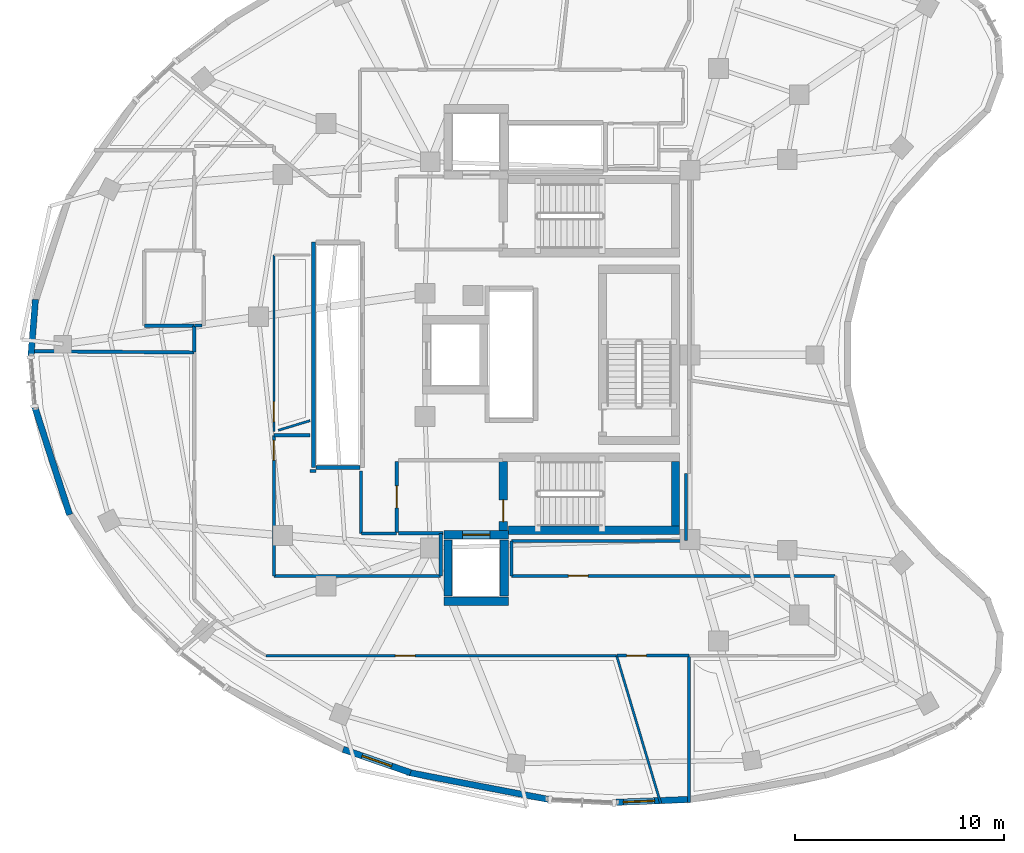
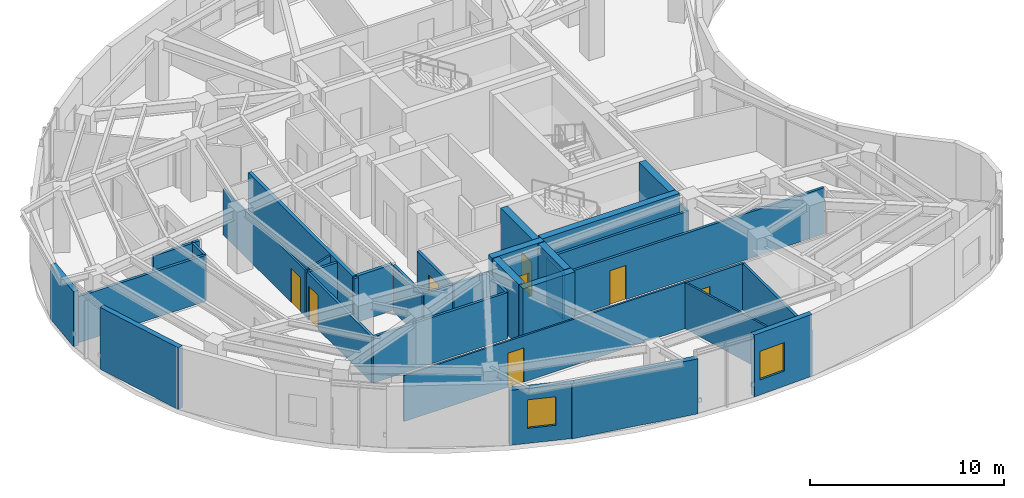
# One storey, part 7 of 13: 37 walls, 8 doors, 2 windows, 10 openings.
"""IFC4 building model written with IfcOpenShell, lengths in metres."""

from ifc_helpers import new_model, si_unit, direction, frame, frame_2d, origin, place, context, subcontext, project, spatial, rectangle, extrude, material, layer, layer_set, type_object, element, fill, save


model = new_model("IFC4")

# Units and contexts
model_context = context("Model", 3, precision=1e-05, world=origin(), true_north=direction((0.0, 1.0)))
body_context = subcontext(model_context, "Body", "Model", "MODEL_VIEW")
ifc_project = project(units=[si_unit("LENGTHUNIT", "METRE"), si_unit("AREAUNIT", "SQUARE_METRE"), si_unit("VOLUMEUNIT", "CUBIC_METRE"), si_unit("PLANEANGLEUNIT", "RADIAN"), si_unit("MASSUNIT", "GRAM", prefix="KILO")], contexts=[model_context])

# Site, building, storey
site_placement = place(None, origin())
site = spatial("IfcSite", under=ifc_project, at=site_placement, CompositionType="ELEMENT")
building_placement = place(site_placement, origin())
building = spatial("IfcBuilding", under=site, at=building_placement, Name="Korentha Bioscience Tower", CompositionType="ELEMENT")
storey_placement = place(building_placement, frame((0.0, 0.0, 243.60009765625)))
storey = spatial("IfcBuildingStorey", under=building, at=storey_placement, Name="L56", CompositionType="ELEMENT", Elevation=243.60009765625)

# Wall, opening, door
ifc_material_1 = material(Name="Double-Stud Acoustic Gypsum", Category="gypsum")
ifc_layer_1 = layer(ifc_material_1, 0.14990234375, Name="Double-Stud Acoustic Gypsum")
ifc_layer_set_1 = layer_set([ifc_layer_1], Name="Double-Stud Acoustic Gypsum (IW-L150)")
wall_type_1 = type_object("IfcWallType", Name="Acoustic Laboratory Partition Wall 150", PredefinedType="PARTITIONING", material=ifc_layer_set_1)
wall_1_placement = place(storey_placement, frame((17.610107421875, 16.409912109375, 0.0), z_axis=(0.0, 0.0, 1.0), x_axis=(0.0, 1.0, 0.0)))
wall_1 = element("IfcWall", 1, at=wall_1_placement, inside=storey, type_object=wall_type_1, Name="L56 Biomechanical Motion Analysis Lab 02 Entrance Wall", PredefinedType="PARTITIONING", context=body_context, shape_type="SweptSolid", body=[
    extrude(rectangle(XDim=6.738037109375, YDim=0.14990234375, at=frame_2d((3.369140625, 0.0))), origin(), (0.0, 0.0, 1.0), 2.909912109375),
])
opening_1_placement = place(wall_1_placement, frame((5.548095703125, 0.0, 0.0)))
opening_1 = element("IfcOpeningElement", 2, at=opening_1_placement, cuts=wall_1, Name="Opening ID-10R", PredefinedType="OPENING", context=body_context, shape_type="SweptSolid", body=[
    extrude(rectangle(XDim=0.949951171875, YDim=2.14990234375, at=frame_2d((0.47509765625, 1.074951171875))), frame((0.0, 0.08984375, 0.0), z_axis=(0.0, -1.0, 0.0), x_axis=(1.0, 0.0, 0.0)), (0.0, 0.0, 1.0), 0.1796875),
])
ifc_material_2 = material(Name="Phenolic Laminate Timber Core", Category="wood")
door_type_1 = type_object("IfcDoorType", Name="Laboratory Single Leaf Door 950x2150 Right", OperationType="SINGLE_SWING_RIGHT", PredefinedType="DOOR", material=ifc_material_2)
door_1_placement = place(opening_1_placement, origin())
door_1 = element("IfcDoor", 3, at=door_1_placement, inside=storey, type_object=door_type_1, Name="L56 Biomechanical Motion Analysis Lab 02 Door", OperationType="SINGLE_SWING_RIGHT", OverallHeight=2.14990234375, OverallWidth=0.949951171875, PredefinedType="DOOR", context=body_context, shape_type="SweptSolid", body=[
    extrude(rectangle(XDim=0.949951171875, YDim=2.14990234375, at=frame_2d((0.47509765625, 1.074951171875))), frame((0.0, 0.02490234375, 0.0), z_axis=(0.0, -1.0, 0.0), x_axis=(1.0, 0.0, 0.0)), (0.0, 0.0, 1.0), 0.050048828125),
])
fill(opening_1, door_1)

wall_2_placement = place(storey_placement, frame((34.037109375, 12.590087890625, 0.0), z_axis=(0.0, 0.0, 1.0), x_axis=(1.0, 0.0, 0.0)))
wall_2 = element("IfcWall", 4, at=wall_2_placement, inside=storey, type_object=wall_type_1, Name="L56 Research Colloquium Seminar Room 04 Entrance Wall", PredefinedType="PARTITIONING", context=body_context, shape_type="SweptSolid", body=[
    extrude(rectangle(XDim=3.4609375, YDim=0.14990234375, at=frame_2d((1.73046875, 0.0))), origin(), (0.0, 0.0, 1.0), 2.909912109375),
])
opening_2_placement = place(wall_2_placement, frame((0.470703125, 0.0, 0.0)))
opening_2 = element("IfcOpeningElement", 5, at=opening_2_placement, cuts=wall_2, Name="Opening ID-10R", PredefinedType="OPENING", context=body_context, shape_type="SweptSolid", body=[
    extrude(rectangle(XDim=0.949951171875, YDim=2.14990234375, at=frame_2d((0.47509765625, 1.074951171875))), frame((0.0, 0.08984375, 0.0), z_axis=(0.0, -1.0, 0.0), x_axis=(1.0, 0.0, 0.0)), (0.0, 0.0, 1.0), 0.1796875),
])
door_2_placement = place(opening_2_placement, origin())
door_2 = element("IfcDoor", 6, at=door_2_placement, inside=storey, type_object=door_type_1, Name="L56 Research Colloquium Seminar Room 04 Door", OperationType="SINGLE_SWING_RIGHT", OverallHeight=2.14990234375, OverallWidth=0.949951171875, PredefinedType="DOOR", context=body_context, shape_type="SweptSolid", body=[
    extrude(rectangle(XDim=0.949951171875, YDim=2.14990234375, at=frame_2d((0.47509765625, 1.074951171875))), frame((0.0, 0.02490234375, 0.0), z_axis=(0.0, -1.0, 0.0), x_axis=(1.0, 0.0, 0.0)), (0.0, 0.0, 1.0), 0.050048828125),
])
fill(opening_2, door_2)

wall_3_placement = place(storey_placement, frame((44.5, 16.409912109375, 0.0), z_axis=(0.0, 0.0, 1.0), x_axis=(-1.0, 0.0, 0.0)))
wall_3 = element("IfcWall", 7, at=wall_3_placement, inside=storey, type_object=wall_type_1, Name="L56 Daylight Break and Coffee Bar 06 Entrance Wall", PredefinedType="PARTITIONING", context=body_context, shape_type="SweptSolid", body=[
    extrude(rectangle(XDim=15.5, YDim=0.14990234375, at=frame_2d((7.75, 0.0))), origin(), (0.0, 0.0, 1.0), 2.909912109375),
])
opening_3_placement = place(wall_3_placement, frame((11.831298828125, 0.0, 0.0)))
opening_3 = element("IfcOpeningElement", 8, at=opening_3_placement, cuts=wall_3, Name="Opening ID-10R", PredefinedType="OPENING", context=body_context, shape_type="SweptSolid", body=[
    extrude(rectangle(XDim=0.949951171875, YDim=2.14990234375, at=frame_2d((0.47509765625, 1.074951171875))), frame((0.0, 0.08984375, 0.0), z_axis=(0.0, -1.0, 0.0), x_axis=(1.0, 0.0, 0.0)), (0.0, 0.0, 1.0), 0.1796875),
])
door_3_placement = place(opening_3_placement, origin())
door_3 = element("IfcDoor", 9, at=door_3_placement, inside=storey, type_object=door_type_1, Name="L56 Daylight Break and Coffee Bar 06 Door", OperationType="SINGLE_SWING_RIGHT", OverallHeight=2.14990234375, OverallWidth=0.949951171875, PredefinedType="DOOR", context=body_context, shape_type="SweptSolid", body=[
    extrude(rectangle(XDim=0.949951171875, YDim=2.14990234375, at=frame_2d((0.47509765625, 1.074951171875))), frame((0.0, 0.02490234375, 0.0), z_axis=(0.0, -1.0, 0.0), x_axis=(1.0, 0.0, 0.0)), (0.0, 0.0, 1.0), 0.050048828125),
])
fill(opening_3, door_3)

# Walls
wall_4_placement = place(storey_placement, frame((19.35009765625, 21.43994140625, 0.0), z_axis=(0.0, 0.0, 1.0), x_axis=(1.0, 0.0, 0.0)))
element("IfcWall", 10, at=wall_4_placement, inside=storey, type_object=wall_type_1, Name="L56 Interior Partition 027", PredefinedType="PARTITIONING", context=body_context, shape_type="SweptSolid", body=[
    extrude(rectangle(XDim=0.27001953125, YDim=0.14990234375, at=frame_2d((0.135009765625, 0.0))), origin(), (0.0, 0.0, 1.0), 2.909912109375),
])
wall_5_placement = place(storey_placement, frame((21.7900390625, 21.43994140625, 0.0), z_axis=(0.0, 0.0, 1.0), x_axis=(0.0, -1.0, 0.0)))
element("IfcWall", 11, at=wall_5_placement, inside=storey, type_object=wall_type_1, Name="L56 Interior Partition 028", PredefinedType="PARTITIONING", context=body_context, shape_type="SweptSolid", body=[
    extrude(rectangle(XDim=2.989990234375, YDim=0.14990234375, at=frame_2d((1.4951171875, 0.0))), origin(), (0.0, 0.0, 1.0), 2.909912109375),
])
wall_6_placement = place(storey_placement, frame((21.800048828125, 18.43994140625, 0.0), z_axis=(0.0, 0.0, 1.0), x_axis=(1.0, 0.0, 0.0)))
element("IfcWall", 12, at=wall_6_placement, inside=storey, type_object=wall_type_1, Name="L56 Interior Partition 029", PredefinedType="PARTITIONING", context=body_context, shape_type="SweptSolid", body=[
    extrude(rectangle(XDim=1.68994140625, YDim=0.14990234375, at=frame_2d((0.844970703125, 0.0))), origin(), (0.0, 0.0, 1.0), 2.909912109375),
])
wall_7_placement = place(storey_placement, frame((25.60009765625, 18.43603515625, 0.0), z_axis=(0.0, 0.0, 1.0), x_axis=(0.0, -1.0, 0.0)))
element("IfcWall", 13, at=wall_7_placement, inside=storey, type_object=wall_type_1, Name="L56 Interior Partition 030", PredefinedType="PARTITIONING", context=body_context, shape_type="SweptSolid", body=[
    extrude(rectangle(XDim=2.026123046875, YDim=0.14990234375, at=frame_2d((1.01318359375, 0.0))), origin(), (0.0, 0.0, 1.0), 2.909912109375),
])
wall_8_placement = place(storey_placement, frame((25.60009765625, 16.409912109375, 0.0), z_axis=(0.0, 0.0, 1.0), x_axis=(-1.0, 0.0, 0.0)))
element("IfcWall", 14, at=wall_8_placement, inside=storey, type_object=wall_type_1, Name="L56 Interior Partition 031", PredefinedType="PARTITIONING", context=body_context, shape_type="SweptSolid", body=[
    extrude(rectangle(XDim=7.989990234375, YDim=0.14990234375, at=frame_2d((3.9951171875, 0.0))), origin(), (0.0, 0.0, 1.0), 2.909912109375),
])
wall_9_placement = place(storey_placement, frame((17.610107421875, 23.14794921875, 0.0), z_axis=(0.0, 0.0, 1.0), x_axis=(1.0, 0.0, 0.0)))
element("IfcWall", 15, at=wall_9_placement, inside=storey, type_object=wall_type_1, Name="L56 Interior Partition 032", PredefinedType="PARTITIONING", context=body_context, shape_type="SweptSolid", body=[
    extrude(rectangle(XDim=1.729736328125, YDim=0.14990234375, at=frame_2d((0.86474609375, 0.0))), origin(), (0.0, 0.0, 1.0), 2.909912109375),
])
wall_10_placement = place(storey_placement, frame((37.498046875, 12.590087890625, 0.0), z_axis=(0.0, 0.0, 1.0), x_axis=(0.0, -1.0, 0.0)))
element("IfcWall", 16, at=wall_10_placement, inside=storey, type_object=wall_type_1, Name="L56 Interior Partition 036", PredefinedType="PARTITIONING", context=body_context, shape_type="SweptSolid", body=[
    extrude(rectangle(XDim=7.02392578125, YDim=0.14990234375, at=frame_2d((3.511962890625, 0.0))), origin(), (0.0, 0.0, 1.0), 2.909912109375),
])
wall_11_placement = place(storey_placement, frame((29.0, 18.090087890625, 0.0), z_axis=(0.0, 0.0, 1.0), x_axis=(1.0, 0.0, 0.0)))
element("IfcWall", 17, at=wall_11_placement, inside=storey, type_object=wall_type_1, Name="L56 Interior Partition 039", PredefinedType="PARTITIONING", context=body_context, shape_type="SweptSolid", body=[
    extrude(rectangle(XDim=8.35009765625, YDim=0.14990234375, at=frame_2d((4.175048828125, 0.0))), origin(), (0.0, 0.0, 1.0), 2.909912109375),
])
wall_12_placement = place(storey_placement, frame((37.360107421875, 18.10009765625, 0.0), z_axis=(0.0, 0.0, 1.0), x_axis=(0.0, 1.0, 0.0)))
element("IfcWall", 18, at=wall_12_placement, inside=storey, type_object=wall_type_1, Name="L56 Interior Partition 040", PredefinedType="PARTITIONING", context=body_context, shape_type="SweptSolid", body=[
    extrude(rectangle(XDim=3.218505859375, YDim=0.14990234375, at=frame_2d((1.609375, 0.0))), origin(), (0.0, 0.0, 1.0), 2.909912109375),
])
wall_13_placement = place(storey_placement, frame((29.0, 16.409912109375, 0.0), z_axis=(0.0, 0.0, 1.0), x_axis=(0.0, 1.0, 0.0)))
element("IfcWall", 19, at=wall_13_placement, inside=storey, type_object=wall_type_1, Name="L56 Interior Partition 046", PredefinedType="PARTITIONING", context=body_context, shape_type="SweptSolid", body=[
    extrude(rectangle(XDim=1.68017578125, YDim=0.14990234375, at=frame_2d((0.840087890625, 0.0))), origin(), (0.0, 0.0, 1.0), 2.909912109375),
])
wall_14_placement = place(storey_placement, frame((13.7900390625, 28.389892578125, 0.0), z_axis=(0.0, 0.0, 1.0), x_axis=(0.0, -1.0, 0.0)))
element("IfcWall", 20, at=wall_14_placement, inside=storey, type_object=wall_type_1, Name="L56 Interior Partition 064", PredefinedType="PARTITIONING", context=body_context, shape_type="SweptSolid", body=[
    extrude(rectangle(XDim=1.2626953125, YDim=0.14990234375, at=frame_2d((0.63134765625, 0.0))), origin(), (0.0, 0.0, 1.0), 2.909912109375),
])

# Wall, opening, door
ifc_material_3 = material(Name="Fire-Rated Framed Glass", Category="glass")
ifc_layer_2 = layer(ifc_material_3, 0.110107421875, Name="Fire-Rated Framed Glass")
ifc_layer_set_2 = layer_set([ifc_layer_2], Name="Fire-Rated Framed Glass (IW-G110)")
wall_type_2 = type_object("IfcWallType", Name="Demountable Glazed Office Partition 110", PredefinedType="MOVABLE", material=ifc_layer_set_2)
wall_15_placement = place(storey_placement, frame((17.235595703125, 12.590087890625, 0.0), z_axis=(0.0, 0.0, 1.0), x_axis=(1.0, 0.0, 0.0)))
wall_15 = element("IfcWall", 21, at=wall_15_placement, inside=storey, type_object=wall_type_2, Name="L56 Principal Investigator Office 03 Entrance Wall", PredefinedType="MOVABLE", context=body_context, shape_type="SweptSolid", body=[
    extrude(rectangle(XDim=16.791015625, YDim=0.110107421875, at=frame_2d((8.3955078125, 0.0))), origin(), (0.0, 0.0, 1.0), 2.909912109375),
])
opening_4_placement = place(wall_15_placement, frame((6.193603515625, 0.0, 0.0)))
opening_4 = element("IfcOpeningElement", 22, at=opening_4_placement, cuts=wall_15, Name="Opening ID-10L", PredefinedType="OPENING", context=body_context, shape_type="SweptSolid", body=[
    extrude(rectangle(XDim=0.949951171875, YDim=2.14990234375, at=frame_2d((0.47509765625, 1.074951171875))), frame((0.0, 0.06982421875, 0.0), z_axis=(0.0, -1.0, 0.0), x_axis=(1.0, 0.0, 0.0)), (0.0, 0.0, 1.0), 0.139892578125),
])
door_type_2 = type_object("IfcDoorType", Name="Laboratory Single Leaf Door 950x2150 Left", OperationType="SINGLE_SWING_LEFT", PredefinedType="DOOR", material=ifc_material_2)
door_4_placement = place(opening_4_placement, origin())
door_4 = element("IfcDoor", 23, at=door_4_placement, inside=storey, type_object=door_type_2, Name="L56 Principal Investigator Office 03 Door", OperationType="SINGLE_SWING_LEFT", OverallHeight=2.14990234375, OverallWidth=0.949951171875, PredefinedType="DOOR", context=body_context, shape_type="SweptSolid", body=[
    extrude(rectangle(XDim=0.949951171875, YDim=2.14990234375, at=frame_2d((0.47509765625, 1.074951171875))), frame((0.0, 0.02490234375, 0.0), z_axis=(0.0, -1.0, 0.0), x_axis=(1.0, 0.0, 0.0)), (0.0, 0.0, 1.0), 0.050048828125),
])
fill(opening_4, door_4)

wall_16_placement = place(storey_placement, frame((17.610107421875, 23.324462890625, 0.0), z_axis=(0.0, 0.0, 1.0), x_axis=(0.0, 1.0, 0.0)))
wall_16 = element("IfcWall", 24, at=wall_16_placement, inside=storey, type_object=wall_type_2, Name="L56 Senior Scientist Corner Office 13 Entrance Wall", PredefinedType="MOVABLE", context=body_context, shape_type="SweptSolid", body=[
    extrude(rectangle(XDim=8.465576171875, YDim=0.110107421875, at=frame_2d((4.23291015625, 0.0))), origin(), (0.0, 0.0, 1.0), 2.909912109375),
])
opening_5_placement = place(wall_16_placement, frame((0.481201171875, 0.0, 0.0)))
opening_5 = element("IfcOpeningElement", 25, at=opening_5_placement, cuts=wall_16, Name="Opening ID-10L", PredefinedType="OPENING", context=body_context, shape_type="SweptSolid", body=[
    extrude(rectangle(XDim=0.949951171875, YDim=2.14990234375, at=frame_2d((0.47509765625, 1.074951171875))), frame((0.0, 0.06982421875, 0.0), z_axis=(0.0, -1.0, 0.0), x_axis=(1.0, 0.0, 0.0)), (0.0, 0.0, 1.0), 0.139892578125),
])
door_5_placement = place(opening_5_placement, origin())
door_5 = element("IfcDoor", 26, at=door_5_placement, inside=storey, type_object=door_type_2, Name="L56 Senior Scientist Corner Office 13 Door", OperationType="SINGLE_SWING_LEFT", OverallHeight=2.14990234375, OverallWidth=0.949951171875, PredefinedType="DOOR", context=body_context, shape_type="SweptSolid", body=[
    extrude(rectangle(XDim=0.949951171875, YDim=2.14990234375, at=frame_2d((0.47509765625, 1.074951171875))), frame((0.0, 0.02490234375, 0.0), z_axis=(0.0, -1.0, 0.0), x_axis=(1.0, 0.0, 0.0)), (0.0, 0.0, 1.0), 0.050048828125),
])
fill(opening_5, door_5)

# Walls
wall_17_placement = place(storey_placement, frame((34.026611328125, 12.590087890625, 0.0), z_axis=(0.0, 0.0, 1.0), x_axis=(0.286155182725, -0.958183286955, 0.0)))
element("IfcWall", 27, at=wall_17_placement, inside=storey, type_object=wall_type_2, Name="L56 Interior Partition 035", PredefinedType="MOVABLE", context=body_context, shape_type="SweptSolid", body=[
    extrude(rectangle(XDim=7.381591796875, YDim=0.110107421875, at=frame_2d((3.69091796875, 0.0))), origin(), (0.0, 0.0, 1.0), 2.909912109375),
])
wall_18_placement = place(storey_placement, frame((19.33984375, 23.849609375, 0.0), z_axis=(0.0, 0.0, 1.0), x_axis=(-0.956878289182, -0.290489138681, 0.0)))
element("IfcWall", 28, at=wall_18_placement, inside=storey, type_object=wall_type_2, Name="L56 Interior Partition 065", PredefinedType="MOVABLE", context=body_context, shape_type="SweptSolid", body=[
    extrude(rectangle(XDim=1.58935546875, YDim=0.110107421875, at=frame_2d((0.794677734375, 0.0))), origin(), (0.0, 0.0, 1.0), 2.909912109375),
])

# Wall, opening, door
ifc_material_4 = material(Name="Gypsum-Clad Steel Stud", Category="steel")
ifc_layer_3 = layer(ifc_material_4, 0.159912109375, Name="Gypsum-Clad Steel Stud")
ifc_layer_set_3 = layer_set([ifc_layer_3], Name="Gypsum-Clad Steel Stud (IW-C160)")
wall_type_3 = type_object("IfcWallType", Name="Fire-Rated Corridor Partition Wall 160", PredefinedType="PARTITIONING", material=ifc_layer_set_3)
wall_19_placement = place(storey_placement, frame((23.5, 18.5, 0.0), z_axis=(0.0, 0.0, 1.0), x_axis=(0.0, 1.0, 0.0)))
wall_19 = element("IfcWall", 29, at=wall_19_placement, inside=storey, type_object=wall_type_3, Name="L56 FFLS-CW Rated Enclosure Wall", PredefinedType="PARTITIONING", context=body_context, shape_type="SweptSolid", body=[
    extrude(rectangle(XDim=3.39990234375, YDim=0.159912109375, at=frame_2d((1.699951171875, 0.0))), origin(), (0.0, 0.0, 1.0), 2.909912109375),
])
opening_6_placement = place(wall_19_placement, frame((1.175048828125, 0.0, 0.0)))
opening_6 = element("IfcOpeningElement", 30, at=opening_6_placement, cuts=wall_19, Name="Opening FD-90L", PredefinedType="OPENING", context=body_context, shape_type="SweptSolid", body=[
    extrude(rectangle(XDim=1.050048828125, YDim=2.14990234375, at=frame_2d((0.52490234375, 1.074951171875))), frame((0.0, 0.0947265625, 0.0), z_axis=(0.0, -1.0, 0.0), x_axis=(1.0, 0.0, 0.0)), (0.0, 0.0, 1.0), 0.189697265625),
])
ifc_material_5 = material(Name="Powder-Coated Fire-Rated Steel", Category="steel")
door_type_3 = type_object("IfcDoorType", Name="Stairwell Fire Exit Door 1050x2150 Left", OperationType="SINGLE_SWING_LEFT", PredefinedType="DOOR", material=ifc_material_5)
door_6_placement = place(opening_6_placement, origin())
door_6 = element("IfcDoor", 31, at=door_6_placement, inside=storey, type_object=door_type_3, Name="L56 South Firefighting Lobby Door", OperationType="SINGLE_SWING_LEFT", OverallHeight=2.14990234375, OverallWidth=1.050048828125, PredefinedType="DOOR", context=body_context, shape_type="SweptSolid", body=[
    extrude(rectangle(XDim=1.050048828125, YDim=2.14990234375, at=frame_2d((0.52490234375, 1.074951171875))), frame((0.0, 0.02490234375, 0.0), z_axis=(0.0, -1.0, 0.0), x_axis=(1.0, 0.0, 0.0)), (0.0, 0.0, 1.0), 0.050048828125),
])
fill(opening_6, door_6)

# Walls
wall_20_placement = place(storey_placement, frame((23.580078125, 18.449951171875, 0.0), z_axis=(0.0, 0.0, 1.0), x_axis=(1.0, 0.0, 0.0)))
element("IfcWall", 32, at=wall_20_placement, inside=storey, type_object=wall_type_3, Name="L56 Firefighting Lobby Return Wall FFLS-S", PredefinedType="PARTITIONING", context=body_context, shape_type="SweptSolid", body=[
    extrude(rectangle(XDim=2.119873046875, YDim=0.159912109375, at=frame_2d((1.06005859375, 0.0))), origin(), (0.0, 0.0, 1.0), 2.909912109375),
])
wall_21_placement = place(storey_placement, frame((14.156982421875, 28.409912109375, 0.0), z_axis=(0.0, 0.0, 1.0), x_axis=(-1.0, 0.0, 0.0)))
element("IfcWall", 33, at=wall_21_placement, inside=storey, type_object=wall_type_3, Name="L56 Interior Partition 019", PredefinedType="PARTITIONING", context=body_context, shape_type="SweptSolid", body=[
    extrude(rectangle(XDim=0.35693359375, YDim=0.159912109375, at=frame_2d((0.178466796875, 0.0))), origin(), (0.0, 0.0, 1.0), 2.909912109375),
])
wall_22_placement = place(storey_placement, frame((13.7900390625, 28.39990234375, 0.0), z_axis=(0.0, 0.0, 1.0), x_axis=(-1.0, 0.0, 0.0)))
element("IfcWall", 34, at=wall_22_placement, inside=storey, type_object=wall_type_3, Name="L56 Interior Partition 020", PredefinedType="PARTITIONING", context=body_context, shape_type="SweptSolid", body=[
    extrude(rectangle(XDim=2.39013671875, YDim=0.159912109375, at=frame_2d((1.195068359375, 0.0))), origin(), (0.0, 0.0, 1.0), 2.909912109375),
])
wall_23_placement = place(storey_placement, frame((5.867919921875, 27.176513671875, 0.0), z_axis=(0.0, 0.0, 1.0), x_axis=(0.999971961056, -0.007488464561, 0.0)))
element("IfcWall", 35, at=wall_23_placement, inside=storey, type_object=wall_type_3, Name="L56 Interior Partition 023", PredefinedType="PARTITIONING", context=body_context, shape_type="SweptSolid", body=[
    extrude(rectangle(XDim=7.92236328125, YDim=0.159912109375, at=frame_2d((3.961181640625, 0.0))), origin(), (0.0, 0.0, 1.0), 2.909912109375),
])

# Wall, opening, window
ifc_material_6 = material(Name="Honed Limestone Precast Concrete C40", Category="masonry")
ifc_layer_4 = layer(ifc_material_6, 0.300048828125, Name="Honed Limestone Precast Concrete C40")
ifc_layer_set_4 = layer_set([ifc_layer_4], Name="Honed Limestone Precast Concrete C40 (EW-ST300)")
wall_type_4 = type_object("IfcWallType", Name="Honed Limestone Cavity Spandrel Wall 300", PredefinedType="STANDARD", material=ifc_layer_set_4)
wall_24_placement = place(storey_placement, frame((20.927978515625, 8.1044921875, 0.0), z_axis=(0.0, 0.0, 1.0), x_axis=(0.944837969822, -0.327538105849, 0.0)))
wall_24 = element("IfcWall", 36, at=wall_24_placement, inside=storey, type_object=wall_type_4, Name="L56 Honed Limestone Spandrel Wall 28", PredefinedType="STANDARD", context=body_context, shape_type="SweptSolid", body=[
    extrude(rectangle(XDim=3.412353515625, YDim=0.300048828125, at=frame_2d((1.7060546875, 0.0))), origin(), (0.0, 0.0, 1.0), 3.469970703125),
])
opening_7_placement = place(wall_24_placement, frame((0.9560546875, 0.0, 0.949951171875)))
opening_7 = element("IfcOpeningElement", 37, at=opening_7_placement, cuts=wall_24, Name="Opening WN-02", PredefinedType="OPENING", context=body_context, shape_type="SweptSolid", body=[
    extrude(rectangle(XDim=1.5, YDim=1.800048828125, at=frame_2d((0.75, 0.89990234375))), frame((0.0, 0.1650390625, 0.0), z_axis=(0.0, -1.0, 0.0), x_axis=(1.0, 0.0, 0.0)), (0.0, 0.0, 1.0), 0.329833984375),
])
ifc_material_7 = material(Name="Thermally Broken Aluminium Triple Glazing", Category="aluminium")
window_type = type_object("IfcWindowType", Name="Acoustic Operable Office Window 1500x1800", PartitioningType="DOUBLE_PANEL_VERTICAL", PredefinedType="WINDOW", material=ifc_material_7)
window_1_placement = place(opening_7_placement, origin())
window_1 = element("IfcWindow", 38, at=window_1_placement, inside=storey, type_object=window_type, Name="L56 Facade Window 28", OverallHeight=1.800048828125, OverallWidth=1.5, PartitioningType="DOUBLE_PANEL_VERTICAL", PredefinedType="WINDOW", context=body_context, shape_type="SweptSolid", body=[
    extrude(rectangle(XDim=1.5, YDim=1.800048828125, at=frame_2d((0.75, 0.89990234375))), frame((0.0, 0.030029296875, 0.0), z_axis=(0.0, -1.0, 0.0), x_axis=(1.0, 0.0, 0.0)), (0.0, 0.0, 1.0), 0.06005859375),
])
fill(opening_7, window_1)

wall_25_placement = place(storey_placement, frame((34.0068359375, 5.564208984375, 0.0), z_axis=(0.0, 0.0, 1.0), x_axis=(0.999212491376, 0.039678672827, 0.0)))
wall_25 = element("IfcWall", 39, at=wall_25_placement, inside=storey, type_object=wall_type_4, Name="L56 Honed Limestone Spandrel Wall 32", PredefinedType="STANDARD", context=body_context, shape_type="SweptSolid", body=[
    extrude(rectangle(XDim=3.537841796875, YDim=0.300048828125, at=frame_2d((1.76904296875, 0.0))), origin(), (0.0, 0.0, 1.0), 3.89990234375),
])
opening_8_placement = place(wall_25_placement, frame((0.34521484375, 0.0, 0.949951171875)))
opening_8 = element("IfcOpeningElement", 40, at=opening_8_placement, cuts=wall_25, Name="Opening WN-02", PredefinedType="OPENING", context=body_context, shape_type="SweptSolid", body=[
    extrude(rectangle(XDim=1.5, YDim=1.800048828125, at=frame_2d((0.75, 0.89990234375))), frame((0.0, 0.1650390625, 0.0), z_axis=(0.0, -1.0, 0.0), x_axis=(1.0, 0.0, 0.0)), (0.0, 0.0, 1.0), 0.329833984375),
])
window_2_placement = place(opening_8_placement, origin())
window_2 = element("IfcWindow", 41, at=window_2_placement, inside=storey, type_object=window_type, Name="L56 Facade Window 32", OverallHeight=1.800048828125, OverallWidth=1.5, PartitioningType="DOUBLE_PANEL_VERTICAL", PredefinedType="WINDOW", context=body_context, shape_type="SweptSolid", body=[
    extrude(rectangle(XDim=1.5, YDim=1.800048828125, at=frame_2d((0.75, 0.89990234375))), frame((0.0, 0.030029296875, 0.0), z_axis=(0.0, -1.0, 0.0), x_axis=(1.0, 0.0, 0.0)), (0.0, 0.0, 1.0), 0.06005859375),
])
fill(opening_8, window_2)

# Walls
wall_26_placement = place(storey_placement, frame((6.184326171875, 29.65869140625, 0.0), z_axis=(0.0, 0.0, 1.0), x_axis=(-0.079045093233, -0.996871041427, 0.0)))
element("IfcWall", 42, at=wall_26_placement, inside=storey, type_object=wall_type_4, Name="L56 Limestone Perimeter Closure Wall 18", PredefinedType="STANDARD", context=body_context, shape_type="SweptSolid", body=[
    extrude(rectangle(XDim=2.758056640625, YDim=0.300048828125, at=frame_2d((1.37890625, 0.0))), origin(), (0.0, 0.0, 1.0), 3.469970703125),
])
wall_27_placement = place(storey_placement, frame((6.147216796875, 24.529052734375, 0.0), z_axis=(0.0, 0.0, 1.0), x_axis=(0.307501658213, -0.951547544895, 0.0)))
element("IfcWall", 43, at=wall_27_placement, inside=storey, type_object=wall_type_4, Name="L56 Limestone Perimeter Closure Wall 20", PredefinedType="STANDARD", context=body_context, shape_type="SweptSolid", body=[
    extrude(rectangle(XDim=5.447265625, YDim=0.300048828125, at=frame_2d((2.7236328125, 0.0))), origin(), (0.0, 0.0, 1.0), 3.89990234375),
])
wall_28_placement = place(storey_placement, frame((23.990966796875, 7.0078125, 0.0), z_axis=(0.0, 0.0, 1.0), x_axis=(0.982011242269, -0.188822456443, 0.0)))
element("IfcWall", 44, at=wall_28_placement, inside=storey, type_object=wall_type_4, Name="L56 Limestone Perimeter Closure Wall 29", PredefinedType="STANDARD", context=body_context, shape_type="SweptSolid", body=[
    extrude(rectangle(XDim=6.899169921875, YDim=0.300048828125, at=frame_2d((3.44970703125, 0.0))), origin(), (0.0, 0.0, 1.0), 3.469970703125),
])
ifc_material_8 = material(Name="Autoclaved Aerated Concrete Block C25", Category="concrete")
ifc_layer_5 = layer(ifc_material_8, 0.199951171875, Name="Autoclaved Aerated Concrete Block C25")
ifc_layer_set_5 = layer_set([ifc_layer_5], Name="Autoclaved Aerated Concrete Block C25 (IW-S200)")
wall_type_5 = type_object("IfcWallType", Name="Lift and Riser Shaft Enclosure Wall 200", PredefinedType="PARTITIONING", material=ifc_layer_set_5)
wall_29_placement = place(storey_placement, frame((19.5, 21.60009765625, 0.0), z_axis=(0.0, 0.0, 1.0), x_axis=(0.0, 1.0, 0.0)))
element("IfcWall", 45, at=wall_29_placement, inside=storey, type_object=wall_type_5, Name="L56 Lift Bank MID Shaft Wall -X", PredefinedType="PARTITIONING", context=body_context, shape_type="SweptSolid", body=[
    extrude(rectangle(XDim=10.7998046875, YDim=0.199951171875, at=frame_2d((5.39990234375, 0.0))), origin(), (0.0, 0.0, 1.0), 2.909912109375),
])
wall_30_placement = place(storey_placement, frame((19.6201171875, 21.60009765625, 0.0), z_axis=(0.0, 0.0, 1.0), x_axis=(1.0, 0.0, 0.0)))
element("IfcWall", 46, at=wall_30_placement, inside=storey, type_object=wall_type_5, Name="L56 Lift Bank MID Shaft Wall -Y", PredefinedType="PARTITIONING", context=body_context, shape_type="SweptSolid", body=[
    extrude(rectangle(XDim=2.10986328125, YDim=0.199951171875, at=frame_2d((1.054931640625, 0.0))), origin(), (0.0, 0.0, 1.0), 2.909912109375),
])
ifc_material_9 = material(Name="Concrete C65", Category="concrete")
ifc_layer_6 = layer(ifc_material_9, 0.39990234375, Name="Concrete C65")
ifc_layer_set_6 = layer_set([ifc_layer_6], Name="Concrete C65 (CW-C65)")
wall_type_6 = type_object("IfcWallType", Name="Mid-Rise Core Shear Wall 400", PredefinedType="SHEAR", material=ifc_layer_set_6)
wall_31_placement = place(storey_placement, frame((28.85205078125, 18.60009765625, 0.0), z_axis=(0.0, 0.0, 1.0), x_axis=(1.0, 0.0, 0.0)))
element("IfcWall", 47, at=wall_31_placement, inside=storey, type_object=wall_type_6, Name="L56 Core Shear Wall ST2-S", PredefinedType="SHEAR", context=body_context, shape_type="SweptSolid", body=[
    extrude(rectangle(XDim=8.197998046875, YDim=0.39990234375, at=frame_2d((4.09912109375, 0.0))), origin(), (0.0, 0.0, 1.0), 3.89990234375),
])
wall_32_placement = place(storey_placement, frame((36.85009765625, 18.81005859375, 0.0), z_axis=(0.0, 0.0, 1.0), x_axis=(0.0, 1.0, 0.0)))
element("IfcWall", 48, at=wall_32_placement, inside=storey, type_object=wall_type_6, Name="L56 Core Shear Wall ST2-E", PredefinedType="SHEAR", context=body_context, shape_type="SweptSolid", body=[
    extrude(rectangle(XDim=3.079833984375, YDim=0.39990234375, at=frame_2d((1.5400390625, 0.0))), origin(), (0.0, 0.0, 1.0), 3.89990234375),
])

# Wall, opening, door
wall_33_placement = place(storey_placement, frame((28.60009765625, 18.58203125, 0.0), z_axis=(0.0, 0.0, 1.0), x_axis=(0.0, 1.0, 0.0)))
wall_33 = element("IfcWall", 49, at=wall_33_placement, inside=storey, type_object=wall_type_6, Name="L56 Core Shear Wall ST2-W", PredefinedType="SHEAR", context=body_context, shape_type="SweptSolid", body=[
    extrude(rectangle(XDim=3.307861328125, YDim=0.39990234375, at=frame_2d((1.65380859375, 0.0))), origin(), (0.0, 0.0, 1.0), 3.89990234375),
])
opening_9_placement = place(wall_33_placement, frame((0.427978515625, 0.0, 0.0)))
opening_9 = element("IfcOpeningElement", 50, at=opening_9_placement, cuts=wall_33, Name="Opening FD-90L", PredefinedType="OPENING", context=body_context, shape_type="SweptSolid", body=[
    extrude(rectangle(XDim=1.050048828125, YDim=2.14990234375, at=frame_2d((0.52490234375, 1.074951171875))), frame((0.0, 0.21484375, 0.0), z_axis=(0.0, -1.0, 0.0), x_axis=(1.0, 0.0, 0.0)), (0.0, 0.0, 1.0), 0.4296875),
])
door_7_placement = place(opening_9_placement, origin())
door_7 = element("IfcDoor", 51, at=door_7_placement, inside=storey, type_object=door_type_3, Name="L56 ST-2 Fire Exit Stair Door", OperationType="SINGLE_SWING_LEFT", OverallHeight=2.14990234375, OverallWidth=1.050048828125, PredefinedType="DOOR", context=body_context, shape_type="SweptSolid", body=[
    extrude(rectangle(XDim=1.050048828125, YDim=2.14990234375, at=frame_2d((0.52490234375, 1.074951171875))), frame((0.0, 0.02490234375, 0.0), z_axis=(0.0, -1.0, 0.0), x_axis=(1.0, 0.0, 0.0)), (0.0, 0.0, 1.0), 0.050048828125),
])
fill(opening_9, door_7)

# Wall
wall_34_placement = place(storey_placement, frame((25.75, 15.199951171875, 0.0), z_axis=(0.0, 0.0, 1.0), x_axis=(1.0, 0.0, 0.0)))
element("IfcWall", 52, at=wall_34_placement, inside=storey, type_object=wall_type_6, Name="L56 Core Shear Wall FFL1-S", PredefinedType="SHEAR", context=body_context, shape_type="SweptSolid", body=[
    extrude(rectangle(XDim=3.10009765625, YDim=0.39990234375, at=frame_2d((1.550048828125, 0.0))), origin(), (0.0, 0.0, 1.0), 3.89990234375),
])

# Wall, opening, door
wall_35_placement = place(storey_placement, frame((25.75, 18.3798828125, 0.0), z_axis=(0.0, 0.0, 1.0), x_axis=(1.0, 0.0, 0.0)))
wall_35 = element("IfcWall", 53, at=wall_35_placement, inside=storey, type_object=wall_type_6, Name="L56 Core Shear Wall FFL1-N", PredefinedType="SHEAR", context=body_context, shape_type="SweptSolid", body=[
    extrude(rectangle(XDim=3.10009765625, YDim=0.39990234375, at=frame_2d((1.550048828125, 0.0))), origin(), (0.0, 0.0, 1.0), 3.89990234375),
])
opening_10_placement = place(wall_35_placement, frame((0.89990234375, 0.0, 0.0)))
opening_10 = element("IfcOpeningElement", 54, at=opening_10_placement, cuts=wall_35, Name="Opening LD-13", PredefinedType="OPENING", context=body_context, shape_type="SweptSolid", body=[
    extrude(rectangle(XDim=1.300048828125, YDim=2.199951171875, at=frame_2d((0.64990234375, 1.10009765625))), frame((0.0, 0.21484375, 0.0), z_axis=(0.0, -1.0, 0.0), x_axis=(1.0, 0.0, 0.0)), (0.0, 0.0, 1.0), 0.4296875),
])
ifc_material_10 = material(Name="Brushed Stainless Steel 316", Category="steel")
door_type_4 = type_object("IfcDoorType", Name="Service & Firefighting Lift Landing Door 1300x2300", OperationType="DOUBLE_DOOR_SLIDING", PredefinedType="DOOR", material=ifc_material_10)
door_8_placement = place(opening_10_placement, origin())
door_8 = element("IfcDoor", 55, at=door_8_placement, inside=storey, type_object=door_type_4, Name="L56 FFL-1 Sliding Lift Landing Door", OperationType="DOUBLE_DOOR_SLIDING", OverallHeight=2.199951171875, OverallWidth=1.300048828125, PredefinedType="DOOR", context=body_context, shape_type="SweptSolid", body=[
    extrude(rectangle(XDim=1.300048828125, YDim=2.199951171875, at=frame_2d((0.64990234375, 1.10009765625))), frame((0.0, 0.02490234375, 0.0), z_axis=(0.0, -1.0, 0.0), x_axis=(1.0, 0.0, 0.0)), (0.0, 0.0, 1.0), 0.050048828125),
])
fill(opening_10, door_8)

# Walls
for number, where, z_axis, x_axis, name in (
    (56, (25.949951171875, 15.43994140625, 0.0), (0.0, 0.0, 1.0), (0.0, 1.0, 0.0), "L56 Core Shear Wall FFL1-W"),
    (57, (28.64990234375, 15.43994140625, 0.0), (0.0, 0.0, 1.0), (0.0, 1.0, 0.0), "L56 Core Shear Wall FFL1-E"),
):
    element("IfcWall", number, at=place(storey_placement, frame(where, z_axis=z_axis, x_axis=x_axis)), inside=storey, type_object=wall_type_6, Name=name, PredefinedType="SHEAR", context=body_context, shape_type="SweptSolid", body=[
        extrude(rectangle(XDim=2.699951171875, YDim=0.39990234375, at=frame_2d((1.35009765625, 0.0))), origin(), (0.0, 0.0, 1.0), 3.89990234375),
    ])

save(model, "model.ifc")
